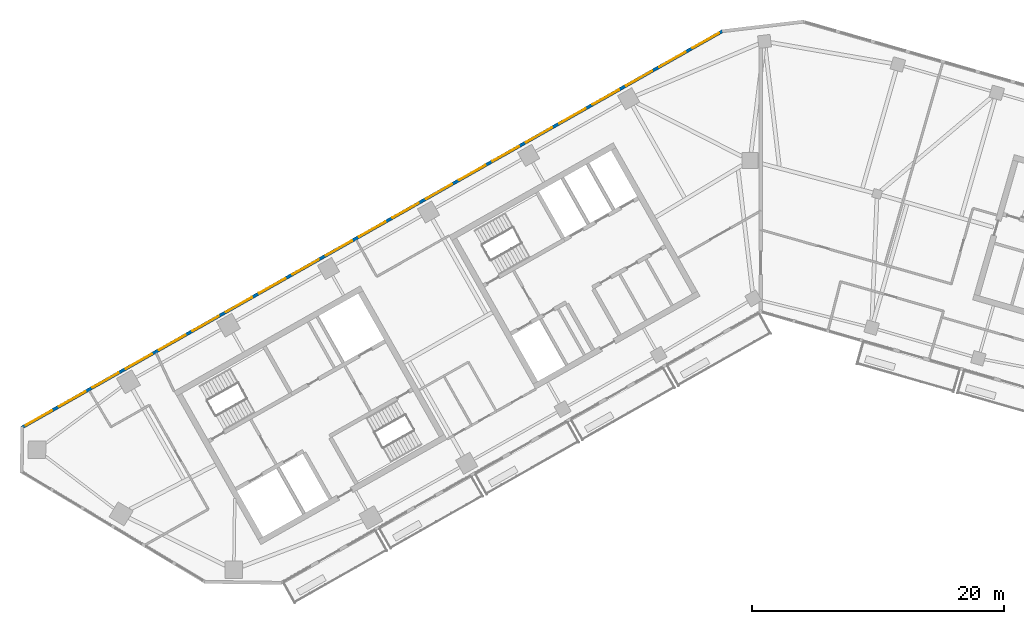
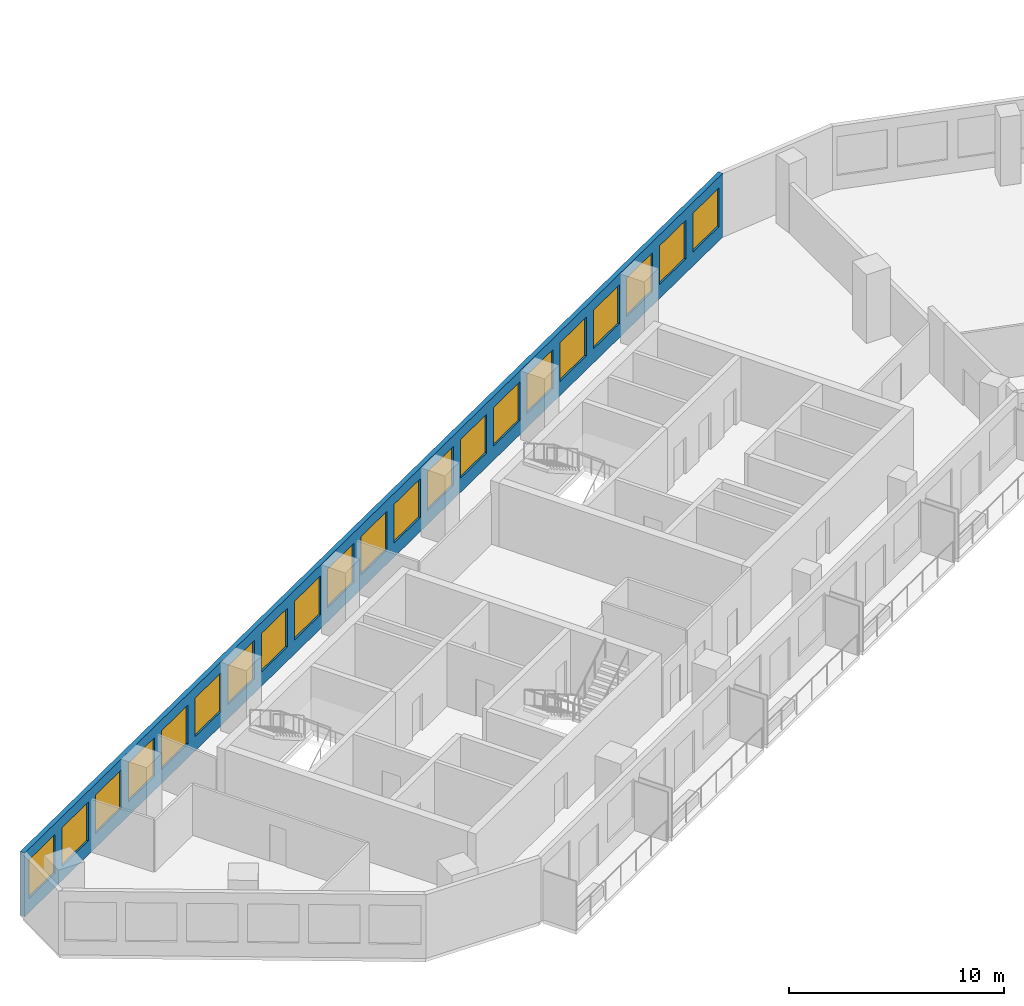
# One storey, part 4 of 12: 21 windows, 1 wall, 21 openings.
"""IFC4 building model written with IfcOpenShell, lengths in metres."""

import ifcopenshell
import ifcopenshell.guid

model = None  # the IFC model being written
_history = None  # IfcOwnerHistory: only IFC2X3 demands one
_inside = {}  # id of a spatial element -> (the spatial element, [elements in it])
_under = {}  # id of a project, library or spatial element -> (it, [spatial elements below it])
_declared = {}  # id of a project -> (the project, [libraries it declares])
_typed = {}  # id of a type object -> (the type object, [elements of that type])
_made_of = {}  # id of a material, layer set ... -> (it, [elements and type objects made of it])


def new_model(schema):
    """Start an empty IFC model of exactly this schema.

    Asked for "IFC4X3", IfcOpenShell would pick the latest addendum, in which some entities
    have other attributes; the version numbers below select the first issue.
    IFC2X3 requires an IfcOwnerHistory on every rooted entity: one is made here for all.
    """
    global model, _history
    if schema == "IFC4X3":
        model = ifcopenshell.file(schema_version=(4, 3, 0, 0))
    else:
        model = ifcopenshell.file(schema=schema)
    _inside.clear()
    _under.clear()
    _declared.clear()
    _typed.clear()
    _made_of.clear()
    _history = None
    if model.schema == "IFC2X3":
        org = make("IfcOrganization", Name="unknown")
        user = make(
            "IfcPersonAndOrganization",
            ThePerson=make("IfcPerson", FamilyName="unknown"),
            TheOrganization=org,
        )
        app = make(
            "IfcApplication",
            ApplicationDeveloper=org,
            Version="unknown",
            ApplicationFullName="unknown",
            ApplicationIdentifier="unknown",
        )
        _history = make(
            "IfcOwnerHistory",
            OwningUser=user,
            OwningApplication=app,
            ChangeAction="ADDED",
            CreationDate=0,
        )
    return model


def make(cls, **values):
    """One entity of the class cls with the attributes given. An attribute that is None is left unset."""
    return model.create_entity(
        cls, **{name: value for name, value in values.items() if value is not None}
    )


def rooted(cls, **values):
    """An entity with a GlobalId (a new one), such as an element, a storey or a relation."""
    return make(cls, GlobalId=ifcopenshell.guid.new(), OwnerHistory=_history, **values)


def si_unit(unit_type, name, prefix=None):
    """IfcSIUnit, for example si_unit("LENGTHUNIT", "METRE", prefix="MILLI")."""
    return make("IfcSIUnit", UnitType=unit_type, Prefix=prefix, Name=name)


def assignment(units):
    """IfcUnitAssignment: the units of a project."""
    return None if units is None else make("IfcUnitAssignment", Units=units)


def point(xyz):
    """IfcCartesianPoint."""
    return None if xyz is None else make("IfcCartesianPoint", Coordinates=xyz)


def direction(xyz):
    """IfcDirection."""
    return None if xyz is None else make("IfcDirection", DirectionRatios=xyz)


def frame(location, z_axis=None, x_axis=None):
    """IfcAxis2Placement3D, a coordinate frame: its origin and axes. An axis left out is left unset."""
    return make(
        "IfcAxis2Placement3D",
        Location=point(location),
        Axis=direction(z_axis),
        RefDirection=direction(x_axis),
    )


def frame_2d(location, x_axis=None):
    """IfcAxis2Placement2D, a coordinate frame in the plane: its origin and x axis."""
    return make(
        "IfcAxis2Placement2D", Location=point(location), RefDirection=direction(x_axis)
    )


def origin():
    """The frame at (0, 0, 0) with its axes left unset."""
    return frame((0.0, 0.0, 0.0))


def place(relative_to, where):
    """IfcLocalPlacement: puts the frame where relative to a parent placement (None: the world)."""
    return make(
        "IfcLocalPlacement", PlacementRelTo=relative_to, RelativePlacement=where
    )


def context(
    kind, dimensions, precision=None, world=None, true_north=None, identifier=None
):
    """IfcGeometricRepresentationContext, for example the 3D "Model" context."""
    return make(
        "IfcGeometricRepresentationContext",
        ContextIdentifier=identifier,
        ContextType=kind,
        CoordinateSpaceDimension=dimensions,
        Precision=precision,
        WorldCoordinateSystem=world,
        TrueNorth=true_north,
    )


def subcontext(parent, identifier, kind, view, scale=None):
    """IfcGeometricRepresentationSubContext, for example "Body" below "Model"."""
    return make(
        "IfcGeometricRepresentationSubContext",
        ContextIdentifier=identifier,
        ContextType=kind,
        ParentContext=parent,
        TargetScale=scale,
        TargetView=view,
    )


def project(units=None, contexts=None):
    """IfcProject with its units and contexts."""
    return rooted(
        "IfcProject",
        Name="project",
        RepresentationContexts=contexts,
        UnitsInContext=assignment(units),
    )


def spatial(cls, under=None, at=None, **own):
    """A site, building, storey or space (cls), placed at a placement, below another one or the project."""
    s = rooted(cls, ObjectPlacement=at, **own)
    if under is not None:
        _under.setdefault(under.id(), (under, []))[1].append(s)
    return s


def profile(cls, at=None, kind="AREA", **sizes):
    """A parametric profile (cls). Its sizes go by their IFC names, for example OverallWidth=200.0."""
    return make(cls, ProfileType=kind, Position=at, **sizes)


def rectangle(**sizes):
    """IfcRectangleProfileDef."""
    return profile("IfcRectangleProfileDef", **sizes)


def extrude(swept, where, along, depth):
    """IfcExtrudedAreaSolid: the profile swept, set in the frame where, extruded along a direction by depth."""
    return make(
        "IfcExtrudedAreaSolid",
        SweptArea=swept,
        Position=where,
        ExtrudedDirection=direction(along),
        Depth=depth,
    )


def shape(context_of_items, identifier, shape_type, items):
    """IfcShapeRepresentation: the items that make up one representation, for example the "Body"."""
    return make(
        "IfcShapeRepresentation",
        ContextOfItems=context_of_items,
        RepresentationIdentifier=identifier,
        RepresentationType=shape_type,
        Items=items,
    )


def material(Name=None, Category=None):
    """IfcMaterial."""
    return make("IfcMaterial", Name=Name, Category=Category)


def layer(
    of_material, thickness, ventilated=None, Name=None, Category=None, Priority=None
):
    """IfcMaterialLayer: one layer of a wall or slab, of a material (None: an air gap)."""
    return make(
        "IfcMaterialLayer",
        Material=of_material,
        LayerThickness=thickness,
        IsVentilated=ventilated,
        Name=Name,
        Category=Category,
        Priority=Priority,
    )


def layer_set(layers, Name=None):
    """IfcMaterialLayerSet."""
    return make("IfcMaterialLayerSet", MaterialLayers=layers, LayerSetName=Name)


def made_of(thing, what):
    """Note that an element or type object is made of a material, layer set ...; save() writes the relation."""
    if what is not None:
        _made_of.setdefault(what.id(), (what, []))[1].append(thing)
    return thing


def type_object(cls, material=None, **own):
    """A type object (cls), such as IfcWallType, which elements share."""
    return made_of(rooted(cls, **own), material)


def element(
    cls,
    number,
    at=None,
    inside=None,
    cuts=None,
    type_object=None,
    material=None,
    context=None,
    identifier="Body",
    shape_type=None,
    held_by="IfcProductDefinitionShape",
    body=None,
    shapes=None,
    **own,
):
    """One element of the class cls, such as IfcWall. Its Tag is "e" and its number.

    at: its placement. inside: the storey or other place that contains it. cuts: it is an
    opening in that element (IfcRelVoidsElement). A single representation is given by context,
    identifier, shape_type and body (its items); several are given by shapes. held_by: the class
    of the entity that holds the representations. save() writes the other relations.
    """
    e = rooted(cls, Tag="e%d" % number, ObjectPlacement=at, **own)
    if body is not None:
        shapes = [shape(context, identifier, shape_type, body)]
    if shapes is not None:
        e.Representation = make(held_by, Representations=shapes)
    if inside is not None:
        _inside.setdefault(inside.id(), (inside, []))[1].append(e)
    if cuts is not None:
        rooted(
            "IfcRelVoidsElement", RelatingBuildingElement=cuts, RelatedOpeningElement=e
        )
    if type_object is not None:
        _typed.setdefault(type_object.id(), (type_object, []))[1].append(e)
    return made_of(e, material)


def fill(opening, filler):
    """IfcRelFillsElement: the door or window that sits in an opening."""
    return rooted(
        "IfcRelFillsElement",
        RelatingOpeningElement=opening,
        RelatedBuildingElement=filler,
    )


def aggregate(whole, parts):
    """IfcRelAggregates: a whole, such as a stair, and the parts it consists of."""
    return rooted("IfcRelAggregates", RelatingObject=whole, RelatedObjects=parts)


def save(model, path):
    """Write the relations noted so far, then the file.

    IfcRelAggregates (storeys below a building ...), IfcRelContainedInSpatialStructure (elements
    in a storey), IfcRelDefinesByType, IfcRelAssociatesMaterial and IfcRelDeclares: one each for
    every whole, place, type object, material and project.
    """
    for whole, parts in _under.values():
        aggregate(whole, parts)
    for where, things in _inside.values():
        rooted(
            "IfcRelContainedInSpatialStructure",
            RelatedElements=things,
            RelatingStructure=where,
        )
    for kind, things in _typed.values():
        rooted("IfcRelDefinesByType", RelatedObjects=things, RelatingType=kind)
    for what, things in _made_of.values():
        rooted("IfcRelAssociatesMaterial", RelatedObjects=things, RelatingMaterial=what)
    for by, libraries in _declared.values():
        rooted("IfcRelDeclares", RelatingContext=by, RelatedDefinitions=libraries)
    model.write(path)


model = new_model("IFC4")

# Units and contexts
model_context = context("Model", 3, precision=1e-05, world=origin(), true_north=direction((0.0, 1.0)))
body_context = subcontext(model_context, "Body", "Model", "MODEL_VIEW")
ifc_project = project(units=[si_unit("LENGTHUNIT", "METRE"), si_unit("AREAUNIT", "SQUARE_METRE"), si_unit("VOLUMEUNIT", "CUBIC_METRE"), si_unit("PLANEANGLEUNIT", "RADIAN"), si_unit("MASSUNIT", "GRAM", prefix="KILO")], contexts=[model_context])

# Site, building, storey
site_placement = place(None, origin())
site = spatial("IfcSite", under=ifc_project, at=site_placement, CompositionType="ELEMENT")
building_placement = place(site_placement, origin())
building = spatial("IfcBuilding", under=site, at=building_placement, Name="Binnacle Exchange Tower", CompositionType="ELEMENT")
storey_placement = place(building_placement, frame((0.0, 0.0, 242.60009765625)))
storey = spatial("IfcBuildingStorey", under=building, at=storey_placement, Name="L53", CompositionType="ELEMENT", Elevation=242.60009765625)

# Wall, openings, windows
ifc_material_1 = material(Name="Bronze aluminium cladding", Category="aluminium")
ifc_layer = layer(ifc_material_1, 0.25)
ifc_layer_set = layer_set([ifc_layer], Name="External wall - window wall 250")
wall_type = type_object("IfcWallType", Name="External wall - window wall 250", PredefinedType="STANDARD", material=ifc_layer_set)
wall_placement = place(storey_placement, frame((-58.732177734375, 38.770751953125, 0.0), z_axis=(0.0, 0.0, 1.0), x_axis=(0.870354824205, 0.492425100887, 0.0)))
wall = element("IfcWall", 1, at=wall_placement, inside=storey, type_object=wall_type, Name="External wall EW-G08 L53", PredefinedType="STANDARD", context=body_context, shape_type="SweptSolid", body=[
    extrude(rectangle(XDim=64.005859375, YDim=0.25, at=frame_2d((32.0029296875, 0.0))), origin(), (0.0, 0.0, 1.0), 3.619873046875),
])
opening_1_placement = place(wall_placement, frame((61.25927734375, 0.0, 0.800048828125)))
opening_1 = element("IfcOpeningElement", 2, at=opening_1_placement, cuts=wall, Name="Opening WR1", PredefinedType="OPENING", context=body_context, shape_type="SweptSolid", body=[
    extrude(rectangle(XDim=2.39990234375, YDim=2.199951171875, at=frame_2d((1.199951171875, 1.10009765625))), frame((0.0, 0.135009765625, 0.0), z_axis=(0.0, -1.0, 0.0), x_axis=(1.0, 0.0, 0.0)), (0.0, 0.0, 1.0), 0.27001953125),
])
opening_2_placement = place(wall_placement, frame((58.2158203125, 0.0, 0.800048828125)))
opening_2 = element("IfcOpeningElement", 3, at=opening_2_placement, cuts=wall, Name="Opening WR1", PredefinedType="OPENING", context=body_context, shape_type="SweptSolid", body=[
    extrude(rectangle(XDim=2.39990234375, YDim=2.199951171875, at=frame_2d((1.199951171875, 1.10009765625))), frame((0.0, 0.135009765625, 0.0), z_axis=(0.0, -1.0, 0.0), x_axis=(1.0, 0.0, 0.0)), (0.0, 0.0, 1.0), 0.27001953125),
])
opening_3_placement = place(wall_placement, frame((55.172607421875, 0.0, 0.800048828125)))
opening_3 = element("IfcOpeningElement", 4, at=opening_3_placement, cuts=wall, Name="Opening WR1", PredefinedType="OPENING", context=body_context, shape_type="SweptSolid", body=[
    extrude(rectangle(XDim=2.39990234375, YDim=2.199951171875, at=frame_2d((1.199951171875, 1.10009765625))), frame((0.0, 0.135009765625, 0.0), z_axis=(0.0, -1.0, 0.0), x_axis=(1.0, 0.0, 0.0)), (0.0, 0.0, 1.0), 0.27001953125),
])
opening_4_placement = place(wall_placement, frame((52.12939453125, 0.0, 0.800048828125)))
opening_4 = element("IfcOpeningElement", 5, at=opening_4_placement, cuts=wall, Name="Opening WR1", PredefinedType="OPENING", context=body_context, shape_type="SweptSolid", body=[
    extrude(rectangle(XDim=2.39990234375, YDim=2.199951171875, at=frame_2d((1.199951171875, 1.10009765625))), frame((0.0, 0.135009765625, 0.0), z_axis=(0.0, -1.0, 0.0), x_axis=(1.0, 0.0, 0.0)), (0.0, 0.0, 1.0), 0.27001953125),
])
opening_5_placement = place(wall_placement, frame((49.0859375, 0.0, 0.800048828125)))
opening_5 = element("IfcOpeningElement", 6, at=opening_5_placement, cuts=wall, Name="Opening WR1", PredefinedType="OPENING", context=body_context, shape_type="SweptSolid", body=[
    extrude(rectangle(XDim=2.39990234375, YDim=2.199951171875, at=frame_2d((1.199951171875, 1.10009765625))), frame((0.0, 0.135009765625, 0.0), z_axis=(0.0, -1.0, 0.0), x_axis=(1.0, 0.0, 0.0)), (0.0, 0.0, 1.0), 0.27001953125),
])
opening_6_placement = place(wall_placement, frame((46.042724609375, 0.0, 0.800048828125)))
opening_6 = element("IfcOpeningElement", 7, at=opening_6_placement, cuts=wall, Name="Opening WR1", PredefinedType="OPENING", context=body_context, shape_type="SweptSolid", body=[
    extrude(rectangle(XDim=2.39990234375, YDim=2.199951171875, at=frame_2d((1.199951171875, 1.10009765625))), frame((0.0, 0.135009765625, 0.0), z_axis=(0.0, -1.0, 0.0), x_axis=(1.0, 0.0, 0.0)), (0.0, 0.0, 1.0), 0.27001953125),
])
opening_7_placement = place(wall_placement, frame((42.99951171875, 0.0, 0.800048828125)))
opening_7 = element("IfcOpeningElement", 8, at=opening_7_placement, cuts=wall, Name="Opening WR1", PredefinedType="OPENING", context=body_context, shape_type="SweptSolid", body=[
    extrude(rectangle(XDim=2.39990234375, YDim=2.199951171875, at=frame_2d((1.199951171875, 1.10009765625))), frame((0.0, 0.135009765625, 0.0), z_axis=(0.0, -1.0, 0.0), x_axis=(1.0, 0.0, 0.0)), (0.0, 0.0, 1.0), 0.27001953125),
])
opening_8_placement = place(wall_placement, frame((39.956298828125, 0.0, 0.800048828125)))
opening_8 = element("IfcOpeningElement", 9, at=opening_8_placement, cuts=wall, Name="Opening WR1", PredefinedType="OPENING", context=body_context, shape_type="SweptSolid", body=[
    extrude(rectangle(XDim=2.39990234375, YDim=2.199951171875, at=frame_2d((1.199951171875, 1.10009765625))), frame((0.0, 0.135009765625, 0.0), z_axis=(0.0, -1.0, 0.0), x_axis=(1.0, 0.0, 0.0)), (0.0, 0.0, 1.0), 0.27001953125),
])
opening_9_placement = place(wall_placement, frame((36.912841796875, 0.0, 0.800048828125)))
opening_9 = element("IfcOpeningElement", 10, at=opening_9_placement, cuts=wall, Name="Opening WR1", PredefinedType="OPENING", context=body_context, shape_type="SweptSolid", body=[
    extrude(rectangle(XDim=2.39990234375, YDim=2.199951171875, at=frame_2d((1.199951171875, 1.10009765625))), frame((0.0, 0.135009765625, 0.0), z_axis=(0.0, -1.0, 0.0), x_axis=(1.0, 0.0, 0.0)), (0.0, 0.0, 1.0), 0.27001953125),
])
opening_10_placement = place(wall_placement, frame((33.86962890625, 0.0, 0.800048828125)))
opening_10 = element("IfcOpeningElement", 11, at=opening_10_placement, cuts=wall, Name="Opening WR1", PredefinedType="OPENING", context=body_context, shape_type="SweptSolid", body=[
    extrude(rectangle(XDim=2.39990234375, YDim=2.199951171875, at=frame_2d((1.199951171875, 1.10009765625))), frame((0.0, 0.135009765625, 0.0), z_axis=(0.0, -1.0, 0.0), x_axis=(1.0, 0.0, 0.0)), (0.0, 0.0, 1.0), 0.27001953125),
])
opening_11_placement = place(wall_placement, frame((30.826416015625, 0.0, 0.800048828125)))
opening_11 = element("IfcOpeningElement", 12, at=opening_11_placement, cuts=wall, Name="Opening WR1", PredefinedType="OPENING", context=body_context, shape_type="SweptSolid", body=[
    extrude(rectangle(XDim=2.39990234375, YDim=2.199951171875, at=frame_2d((1.199951171875, 1.10009765625))), frame((0.0, 0.135009765625, 0.0), z_axis=(0.0, -1.0, 0.0), x_axis=(1.0, 0.0, 0.0)), (0.0, 0.0, 1.0), 0.27001953125),
])
opening_12_placement = place(wall_placement, frame((27.782958984375, 0.0, 0.800048828125)))
opening_12 = element("IfcOpeningElement", 13, at=opening_12_placement, cuts=wall, Name="Opening WR1", PredefinedType="OPENING", context=body_context, shape_type="SweptSolid", body=[
    extrude(rectangle(XDim=2.39990234375, YDim=2.199951171875, at=frame_2d((1.199951171875, 1.10009765625))), frame((0.0, 0.135009765625, 0.0), z_axis=(0.0, -1.0, 0.0), x_axis=(1.0, 0.0, 0.0)), (0.0, 0.0, 1.0), 0.27001953125),
])
opening_13_placement = place(wall_placement, frame((24.73974609375, 0.0, 0.800048828125)))
opening_13 = element("IfcOpeningElement", 14, at=opening_13_placement, cuts=wall, Name="Opening WR1", PredefinedType="OPENING", context=body_context, shape_type="SweptSolid", body=[
    extrude(rectangle(XDim=2.39990234375, YDim=2.199951171875, at=frame_2d((1.199951171875, 1.10009765625))), frame((0.0, 0.135009765625, 0.0), z_axis=(0.0, -1.0, 0.0), x_axis=(1.0, 0.0, 0.0)), (0.0, 0.0, 1.0), 0.27001953125),
])
opening_14_placement = place(wall_placement, frame((21.6962890625, 0.0, 0.800048828125)))
opening_14 = element("IfcOpeningElement", 15, at=opening_14_placement, cuts=wall, Name="Opening WR1", PredefinedType="OPENING", context=body_context, shape_type="SweptSolid", body=[
    extrude(rectangle(XDim=2.39990234375, YDim=2.199951171875, at=frame_2d((1.199951171875, 1.10009765625))), frame((0.0, 0.135009765625, 0.0), z_axis=(0.0, -1.0, 0.0), x_axis=(1.0, 0.0, 0.0)), (0.0, 0.0, 1.0), 0.27001953125),
])
opening_15_placement = place(wall_placement, frame((18.6533203125, 0.0, 0.800048828125)))
opening_15 = element("IfcOpeningElement", 16, at=opening_15_placement, cuts=wall, Name="Opening WR1", PredefinedType="OPENING", context=body_context, shape_type="SweptSolid", body=[
    extrude(rectangle(XDim=2.39990234375, YDim=2.199951171875, at=frame_2d((1.199951171875, 1.10009765625))), frame((0.0, 0.135009765625, 0.0), z_axis=(0.0, -1.0, 0.0), x_axis=(1.0, 0.0, 0.0)), (0.0, 0.0, 1.0), 0.27001953125),
])
opening_16_placement = place(wall_placement, frame((15.60986328125, 0.0, 0.800048828125)))
opening_16 = element("IfcOpeningElement", 17, at=opening_16_placement, cuts=wall, Name="Opening WR1", PredefinedType="OPENING", context=body_context, shape_type="SweptSolid", body=[
    extrude(rectangle(XDim=2.39990234375, YDim=2.199951171875, at=frame_2d((1.199951171875, 1.10009765625))), frame((0.0, 0.135009765625, 0.0), z_axis=(0.0, -1.0, 0.0), x_axis=(1.0, 0.0, 0.0)), (0.0, 0.0, 1.0), 0.27001953125),
])
opening_17_placement = place(wall_placement, frame((12.566650390625, 0.0, 0.800048828125)))
opening_17 = element("IfcOpeningElement", 18, at=opening_17_placement, cuts=wall, Name="Opening WR1", PredefinedType="OPENING", context=body_context, shape_type="SweptSolid", body=[
    extrude(rectangle(XDim=2.39990234375, YDim=2.199951171875, at=frame_2d((1.199951171875, 1.10009765625))), frame((0.0, 0.135009765625, 0.0), z_axis=(0.0, -1.0, 0.0), x_axis=(1.0, 0.0, 0.0)), (0.0, 0.0, 1.0), 0.27001953125),
])
opening_18_placement = place(wall_placement, frame((9.523193359375, 0.0, 0.800048828125)))
opening_18 = element("IfcOpeningElement", 19, at=opening_18_placement, cuts=wall, Name="Opening WR1", PredefinedType="OPENING", context=body_context, shape_type="SweptSolid", body=[
    extrude(rectangle(XDim=2.39990234375, YDim=2.199951171875, at=frame_2d((1.199951171875, 1.10009765625))), frame((0.0, 0.135009765625, 0.0), z_axis=(0.0, -1.0, 0.0), x_axis=(1.0, 0.0, 0.0)), (0.0, 0.0, 1.0), 0.27001953125),
])
opening_19_placement = place(wall_placement, frame((6.47998046875, 0.0, 0.800048828125)))
opening_19 = element("IfcOpeningElement", 20, at=opening_19_placement, cuts=wall, Name="Opening WR1", PredefinedType="OPENING", context=body_context, shape_type="SweptSolid", body=[
    extrude(rectangle(XDim=2.39990234375, YDim=2.199951171875, at=frame_2d((1.199951171875, 1.10009765625))), frame((0.0, 0.135009765625, 0.0), z_axis=(0.0, -1.0, 0.0), x_axis=(1.0, 0.0, 0.0)), (0.0, 0.0, 1.0), 0.27001953125),
])
opening_20_placement = place(wall_placement, frame((3.436767578125, 0.0, 0.800048828125)))
opening_20 = element("IfcOpeningElement", 21, at=opening_20_placement, cuts=wall, Name="Opening WR1", PredefinedType="OPENING", context=body_context, shape_type="SweptSolid", body=[
    extrude(rectangle(XDim=2.39990234375, YDim=2.199951171875, at=frame_2d((1.199951171875, 1.10009765625))), frame((0.0, 0.135009765625, 0.0), z_axis=(0.0, -1.0, 0.0), x_axis=(1.0, 0.0, 0.0)), (0.0, 0.0, 1.0), 0.27001953125),
])
opening_21_placement = place(wall_placement, frame((0.393310546875, 0.0, 0.800048828125)))
opening_21 = element("IfcOpeningElement", 22, at=opening_21_placement, cuts=wall, Name="Opening WR1", PredefinedType="OPENING", context=body_context, shape_type="SweptSolid", body=[
    extrude(rectangle(XDim=2.39990234375, YDim=2.199951171875, at=frame_2d((1.199951171875, 1.10009765625))), frame((0.0, 0.135009765625, 0.0), z_axis=(0.0, -1.0, 0.0), x_axis=(1.0, 0.0, 0.0)), (0.0, 0.0, 1.0), 0.27001953125),
])
ifc_material_2 = material(Name="Bronze anodised aluminium frame", Category="aluminium")
window_type = type_object("IfcWindowType", Name="WR1 WINDOW 2400x2200", PartitioningType="SINGLE_PANEL", PredefinedType="WINDOW", material=ifc_material_2)
window_1_placement = place(opening_1_placement, origin())
window_1 = element("IfcWindow", 23, at=window_1_placement, inside=storey, type_object=window_type, Name="Window WR1 L53", OverallHeight=2.199951171875, OverallWidth=2.39990234375, PartitioningType="SINGLE_PANEL", PredefinedType="WINDOW", context=body_context, shape_type="SweptSolid", body=[
    extrude(rectangle(XDim=2.39990234375, YDim=2.199951171875, at=frame_2d((1.199951171875, 1.10009765625))), frame((0.0, 0.030029296875, 0.0), z_axis=(0.0, -1.0, 0.0), x_axis=(1.0, 0.0, 0.0)), (0.0, 0.0, 1.0), 0.06005859375),
])
fill(opening_1, window_1)
window_2_placement = place(opening_2_placement, origin())
window_2 = element("IfcWindow", 24, at=window_2_placement, inside=storey, type_object=window_type, Name="Window WR1 L53", OverallHeight=2.199951171875, OverallWidth=2.39990234375, PartitioningType="SINGLE_PANEL", PredefinedType="WINDOW", context=body_context, shape_type="SweptSolid", body=[
    extrude(rectangle(XDim=2.39990234375, YDim=2.199951171875, at=frame_2d((1.199951171875, 1.10009765625))), frame((0.0, 0.030029296875, 0.0), z_axis=(0.0, -1.0, 0.0), x_axis=(1.0, 0.0, 0.0)), (0.0, 0.0, 1.0), 0.06005859375),
])
fill(opening_2, window_2)
window_3_placement = place(opening_3_placement, origin())
window_3 = element("IfcWindow", 25, at=window_3_placement, inside=storey, type_object=window_type, Name="Window WR1 L53", OverallHeight=2.199951171875, OverallWidth=2.39990234375, PartitioningType="SINGLE_PANEL", PredefinedType="WINDOW", context=body_context, shape_type="SweptSolid", body=[
    extrude(rectangle(XDim=2.39990234375, YDim=2.199951171875, at=frame_2d((1.199951171875, 1.10009765625))), frame((0.0, 0.030029296875, 0.0), z_axis=(0.0, -1.0, 0.0), x_axis=(1.0, 0.0, 0.0)), (0.0, 0.0, 1.0), 0.06005859375),
])
fill(opening_3, window_3)
window_4_placement = place(opening_4_placement, origin())
window_4 = element("IfcWindow", 26, at=window_4_placement, inside=storey, type_object=window_type, Name="Window WR1 L53", OverallHeight=2.199951171875, OverallWidth=2.39990234375, PartitioningType="SINGLE_PANEL", PredefinedType="WINDOW", context=body_context, shape_type="SweptSolid", body=[
    extrude(rectangle(XDim=2.39990234375, YDim=2.199951171875, at=frame_2d((1.199951171875, 1.10009765625))), frame((0.0, 0.030029296875, 0.0), z_axis=(0.0, -1.0, 0.0), x_axis=(1.0, 0.0, 0.0)), (0.0, 0.0, 1.0), 0.06005859375),
])
fill(opening_4, window_4)
window_5_placement = place(opening_5_placement, origin())
window_5 = element("IfcWindow", 27, at=window_5_placement, inside=storey, type_object=window_type, Name="Window WR1 L53", OverallHeight=2.199951171875, OverallWidth=2.39990234375, PartitioningType="SINGLE_PANEL", PredefinedType="WINDOW", context=body_context, shape_type="SweptSolid", body=[
    extrude(rectangle(XDim=2.39990234375, YDim=2.199951171875, at=frame_2d((1.199951171875, 1.10009765625))), frame((0.0, 0.030029296875, 0.0), z_axis=(0.0, -1.0, 0.0), x_axis=(1.0, 0.0, 0.0)), (0.0, 0.0, 1.0), 0.06005859375),
])
fill(opening_5, window_5)
window_6_placement = place(opening_6_placement, origin())
window_6 = element("IfcWindow", 28, at=window_6_placement, inside=storey, type_object=window_type, Name="Window WR1 L53", OverallHeight=2.199951171875, OverallWidth=2.39990234375, PartitioningType="SINGLE_PANEL", PredefinedType="WINDOW", context=body_context, shape_type="SweptSolid", body=[
    extrude(rectangle(XDim=2.39990234375, YDim=2.199951171875, at=frame_2d((1.199951171875, 1.10009765625))), frame((0.0, 0.030029296875, 0.0), z_axis=(0.0, -1.0, 0.0), x_axis=(1.0, 0.0, 0.0)), (0.0, 0.0, 1.0), 0.06005859375),
])
fill(opening_6, window_6)
window_7_placement = place(opening_7_placement, origin())
window_7 = element("IfcWindow", 29, at=window_7_placement, inside=storey, type_object=window_type, Name="Window WR1 L53", OverallHeight=2.199951171875, OverallWidth=2.39990234375, PartitioningType="SINGLE_PANEL", PredefinedType="WINDOW", context=body_context, shape_type="SweptSolid", body=[
    extrude(rectangle(XDim=2.39990234375, YDim=2.199951171875, at=frame_2d((1.199951171875, 1.10009765625))), frame((0.0, 0.030029296875, 0.0), z_axis=(0.0, -1.0, 0.0), x_axis=(1.0, 0.0, 0.0)), (0.0, 0.0, 1.0), 0.06005859375),
])
fill(opening_7, window_7)
window_8_placement = place(opening_8_placement, origin())
window_8 = element("IfcWindow", 30, at=window_8_placement, inside=storey, type_object=window_type, Name="Window WR1 L53", OverallHeight=2.199951171875, OverallWidth=2.39990234375, PartitioningType="SINGLE_PANEL", PredefinedType="WINDOW", context=body_context, shape_type="SweptSolid", body=[
    extrude(rectangle(XDim=2.39990234375, YDim=2.199951171875, at=frame_2d((1.199951171875, 1.10009765625))), frame((0.0, 0.030029296875, 0.0), z_axis=(0.0, -1.0, 0.0), x_axis=(1.0, 0.0, 0.0)), (0.0, 0.0, 1.0), 0.06005859375),
])
fill(opening_8, window_8)
window_9_placement = place(opening_9_placement, origin())
window_9 = element("IfcWindow", 31, at=window_9_placement, inside=storey, type_object=window_type, Name="Window WR1 L53", OverallHeight=2.199951171875, OverallWidth=2.39990234375, PartitioningType="SINGLE_PANEL", PredefinedType="WINDOW", context=body_context, shape_type="SweptSolid", body=[
    extrude(rectangle(XDim=2.39990234375, YDim=2.199951171875, at=frame_2d((1.199951171875, 1.10009765625))), frame((0.0, 0.030029296875, 0.0), z_axis=(0.0, -1.0, 0.0), x_axis=(1.0, 0.0, 0.0)), (0.0, 0.0, 1.0), 0.06005859375),
])
fill(opening_9, window_9)
window_10_placement = place(opening_10_placement, origin())
window_10 = element("IfcWindow", 32, at=window_10_placement, inside=storey, type_object=window_type, Name="Window WR1 L53", OverallHeight=2.199951171875, OverallWidth=2.39990234375, PartitioningType="SINGLE_PANEL", PredefinedType="WINDOW", context=body_context, shape_type="SweptSolid", body=[
    extrude(rectangle(XDim=2.39990234375, YDim=2.199951171875, at=frame_2d((1.199951171875, 1.10009765625))), frame((0.0, 0.030029296875, 0.0), z_axis=(0.0, -1.0, 0.0), x_axis=(1.0, 0.0, 0.0)), (0.0, 0.0, 1.0), 0.06005859375),
])
fill(opening_10, window_10)
window_11_placement = place(opening_11_placement, origin())
window_11 = element("IfcWindow", 33, at=window_11_placement, inside=storey, type_object=window_type, Name="Window WR1 L53", OverallHeight=2.199951171875, OverallWidth=2.39990234375, PartitioningType="SINGLE_PANEL", PredefinedType="WINDOW", context=body_context, shape_type="SweptSolid", body=[
    extrude(rectangle(XDim=2.39990234375, YDim=2.199951171875, at=frame_2d((1.199951171875, 1.10009765625))), frame((0.0, 0.030029296875, 0.0), z_axis=(0.0, -1.0, 0.0), x_axis=(1.0, 0.0, 0.0)), (0.0, 0.0, 1.0), 0.06005859375),
])
fill(opening_11, window_11)
window_12_placement = place(opening_12_placement, origin())
window_12 = element("IfcWindow", 34, at=window_12_placement, inside=storey, type_object=window_type, Name="Window WR1 L53", OverallHeight=2.199951171875, OverallWidth=2.39990234375, PartitioningType="SINGLE_PANEL", PredefinedType="WINDOW", context=body_context, shape_type="SweptSolid", body=[
    extrude(rectangle(XDim=2.39990234375, YDim=2.199951171875, at=frame_2d((1.199951171875, 1.10009765625))), frame((0.0, 0.030029296875, 0.0), z_axis=(0.0, -1.0, 0.0), x_axis=(1.0, 0.0, 0.0)), (0.0, 0.0, 1.0), 0.06005859375),
])
fill(opening_12, window_12)
window_13_placement = place(opening_13_placement, origin())
window_13 = element("IfcWindow", 35, at=window_13_placement, inside=storey, type_object=window_type, Name="Window WR1 L53", OverallHeight=2.199951171875, OverallWidth=2.39990234375, PartitioningType="SINGLE_PANEL", PredefinedType="WINDOW", context=body_context, shape_type="SweptSolid", body=[
    extrude(rectangle(XDim=2.39990234375, YDim=2.199951171875, at=frame_2d((1.199951171875, 1.10009765625))), frame((0.0, 0.030029296875, 0.0), z_axis=(0.0, -1.0, 0.0), x_axis=(1.0, 0.0, 0.0)), (0.0, 0.0, 1.0), 0.06005859375),
])
fill(opening_13, window_13)
window_14_placement = place(opening_14_placement, origin())
window_14 = element("IfcWindow", 36, at=window_14_placement, inside=storey, type_object=window_type, Name="Window WR1 L53", OverallHeight=2.199951171875, OverallWidth=2.39990234375, PartitioningType="SINGLE_PANEL", PredefinedType="WINDOW", context=body_context, shape_type="SweptSolid", body=[
    extrude(rectangle(XDim=2.39990234375, YDim=2.199951171875, at=frame_2d((1.199951171875, 1.10009765625))), frame((0.0, 0.030029296875, 0.0), z_axis=(0.0, -1.0, 0.0), x_axis=(1.0, 0.0, 0.0)), (0.0, 0.0, 1.0), 0.06005859375),
])
fill(opening_14, window_14)
window_15_placement = place(opening_15_placement, origin())
window_15 = element("IfcWindow", 37, at=window_15_placement, inside=storey, type_object=window_type, Name="Window WR1 L53", OverallHeight=2.199951171875, OverallWidth=2.39990234375, PartitioningType="SINGLE_PANEL", PredefinedType="WINDOW", context=body_context, shape_type="SweptSolid", body=[
    extrude(rectangle(XDim=2.39990234375, YDim=2.199951171875, at=frame_2d((1.199951171875, 1.10009765625))), frame((0.0, 0.030029296875, 0.0), z_axis=(0.0, -1.0, 0.0), x_axis=(1.0, 0.0, 0.0)), (0.0, 0.0, 1.0), 0.06005859375),
])
fill(opening_15, window_15)
window_16_placement = place(opening_16_placement, origin())
window_16 = element("IfcWindow", 38, at=window_16_placement, inside=storey, type_object=window_type, Name="Window WR1 L53", OverallHeight=2.199951171875, OverallWidth=2.39990234375, PartitioningType="SINGLE_PANEL", PredefinedType="WINDOW", context=body_context, shape_type="SweptSolid", body=[
    extrude(rectangle(XDim=2.39990234375, YDim=2.199951171875, at=frame_2d((1.199951171875, 1.10009765625))), frame((0.0, 0.030029296875, 0.0), z_axis=(0.0, -1.0, 0.0), x_axis=(1.0, 0.0, 0.0)), (0.0, 0.0, 1.0), 0.06005859375),
])
fill(opening_16, window_16)
window_17_placement = place(opening_17_placement, origin())
window_17 = element("IfcWindow", 39, at=window_17_placement, inside=storey, type_object=window_type, Name="Window WR1 L53", OverallHeight=2.199951171875, OverallWidth=2.39990234375, PartitioningType="SINGLE_PANEL", PredefinedType="WINDOW", context=body_context, shape_type="SweptSolid", body=[
    extrude(rectangle(XDim=2.39990234375, YDim=2.199951171875, at=frame_2d((1.199951171875, 1.10009765625))), frame((0.0, 0.030029296875, 0.0), z_axis=(0.0, -1.0, 0.0), x_axis=(1.0, 0.0, 0.0)), (0.0, 0.0, 1.0), 0.06005859375),
])
fill(opening_17, window_17)
window_18_placement = place(opening_18_placement, origin())
window_18 = element("IfcWindow", 40, at=window_18_placement, inside=storey, type_object=window_type, Name="Window WR1 L53", OverallHeight=2.199951171875, OverallWidth=2.39990234375, PartitioningType="SINGLE_PANEL", PredefinedType="WINDOW", context=body_context, shape_type="SweptSolid", body=[
    extrude(rectangle(XDim=2.39990234375, YDim=2.199951171875, at=frame_2d((1.199951171875, 1.10009765625))), frame((0.0, 0.030029296875, 0.0), z_axis=(0.0, -1.0, 0.0), x_axis=(1.0, 0.0, 0.0)), (0.0, 0.0, 1.0), 0.06005859375),
])
fill(opening_18, window_18)
window_19_placement = place(opening_19_placement, origin())
window_19 = element("IfcWindow", 41, at=window_19_placement, inside=storey, type_object=window_type, Name="Window WR1 L53", OverallHeight=2.199951171875, OverallWidth=2.39990234375, PartitioningType="SINGLE_PANEL", PredefinedType="WINDOW", context=body_context, shape_type="SweptSolid", body=[
    extrude(rectangle(XDim=2.39990234375, YDim=2.199951171875, at=frame_2d((1.199951171875, 1.10009765625))), frame((0.0, 0.030029296875, 0.0), z_axis=(0.0, -1.0, 0.0), x_axis=(1.0, 0.0, 0.0)), (0.0, 0.0, 1.0), 0.06005859375),
])
fill(opening_19, window_19)
window_20_placement = place(opening_20_placement, origin())
window_20 = element("IfcWindow", 42, at=window_20_placement, inside=storey, type_object=window_type, Name="Window WR1 L53", OverallHeight=2.199951171875, OverallWidth=2.39990234375, PartitioningType="SINGLE_PANEL", PredefinedType="WINDOW", context=body_context, shape_type="SweptSolid", body=[
    extrude(rectangle(XDim=2.39990234375, YDim=2.199951171875, at=frame_2d((1.199951171875, 1.10009765625))), frame((0.0, 0.030029296875, 0.0), z_axis=(0.0, -1.0, 0.0), x_axis=(1.0, 0.0, 0.0)), (0.0, 0.0, 1.0), 0.06005859375),
])
fill(opening_20, window_20)
window_21_placement = place(opening_21_placement, origin())
window_21 = element("IfcWindow", 43, at=window_21_placement, inside=storey, type_object=window_type, Name="Window WR1 L53", OverallHeight=2.199951171875, OverallWidth=2.39990234375, PartitioningType="SINGLE_PANEL", PredefinedType="WINDOW", context=body_context, shape_type="SweptSolid", body=[
    extrude(rectangle(XDim=2.39990234375, YDim=2.199951171875, at=frame_2d((1.199951171875, 1.10009765625))), frame((0.0, 0.030029296875, 0.0), z_axis=(0.0, -1.0, 0.0), x_axis=(1.0, 0.0, 0.0)), (0.0, 0.0, 1.0), 0.06005859375),
])
fill(opening_21, window_21)

save(model, "model.ifc")
